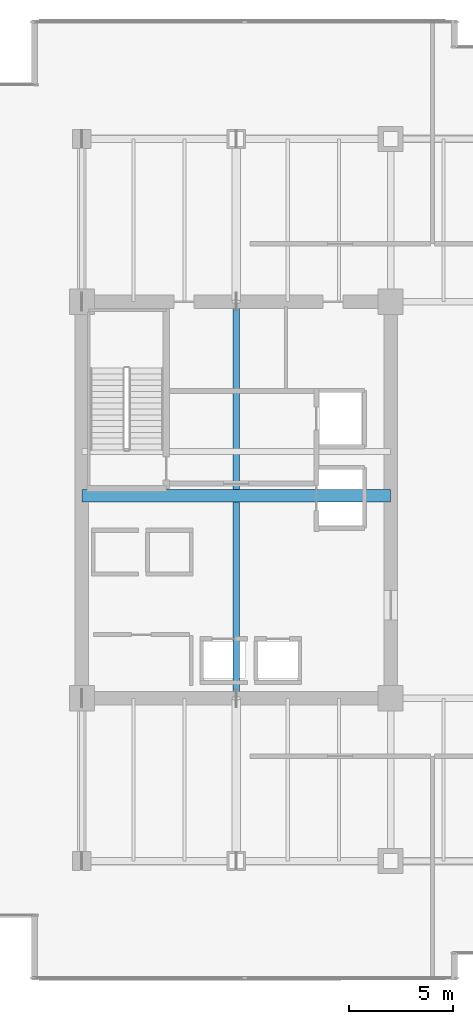
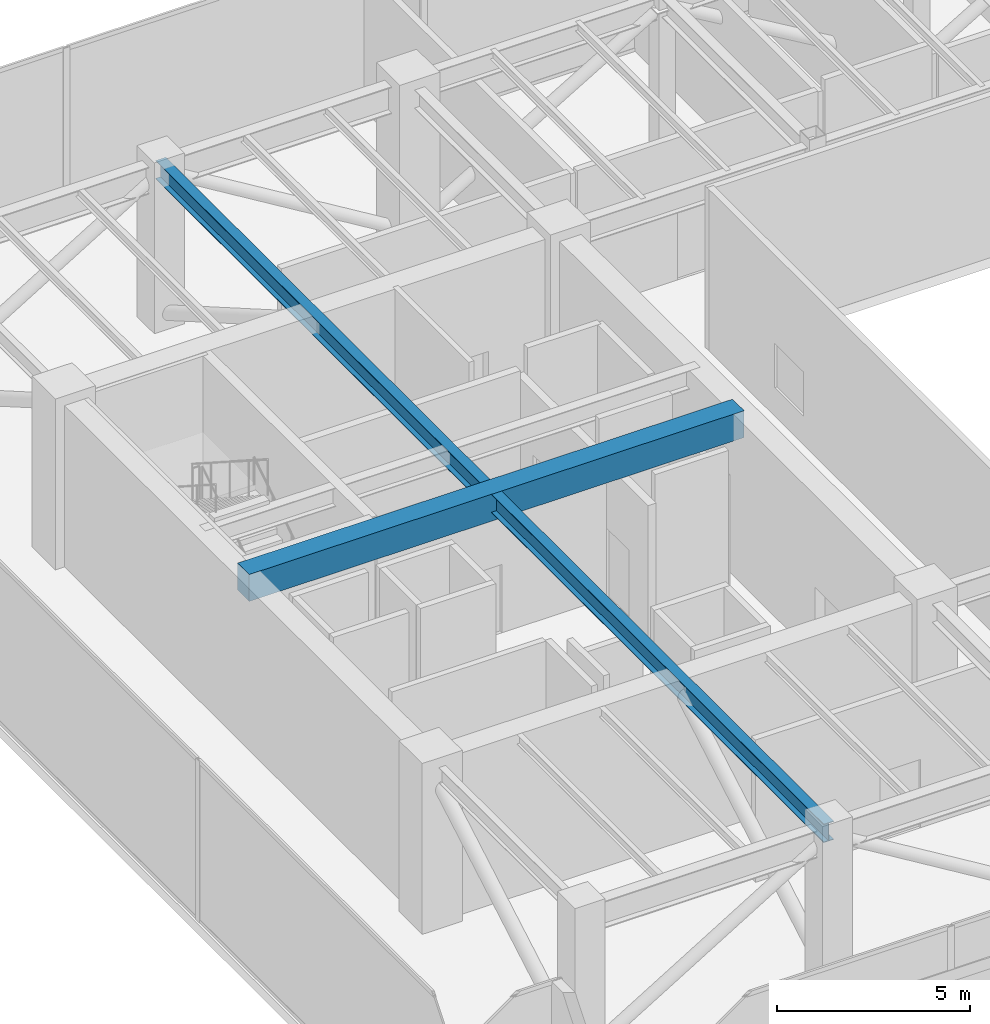
# One storey, part 7 of 34: 2 beams.
"""IFC4 building model written with IfcOpenShell, lengths in metres."""

from ifc_helpers import new_model, si_unit, direction, frame, origin, origin_2d, place, context, subcontext, project, spatial, rectangle, i_section, extrude, source, transform, mapped, material, material_profile, profile_set, type_object, type_shapes, element, save


model = new_model("IFC4")

# Units and contexts
model_context = context("Model", 3, precision=1e-05, world=origin(), true_north=direction((0.0, 1.0)))
body_context = subcontext(model_context, "Body", "Model", "MODEL_VIEW")
ifc_project = project(units=[si_unit("LENGTHUNIT", "METRE"), si_unit("AREAUNIT", "SQUARE_METRE"), si_unit("VOLUMEUNIT", "CUBIC_METRE"), si_unit("PLANEANGLEUNIT", "RADIAN"), si_unit("MASSUNIT", "GRAM", prefix="KILO")], contexts=[model_context])

# Site, building, storey
site_placement = place(None, origin())
site = spatial("IfcSite", under=ifc_project, at=site_placement, CompositionType="ELEMENT")
building_placement = place(site_placement, origin())
building = spatial("IfcBuilding", under=site, at=building_placement, Name="Haelvirn Gate Laboratories", CompositionType="ELEMENT")
storey_placement = place(building_placement, frame((0.0, 0.0, 191.199951171875)))
storey = spatial("IfcBuildingStorey", under=building, at=storey_placement, Name="L46", CompositionType="ELEMENT", Elevation=191.199951171875)

# Beams
ifc_material_1 = material(Name="Steel SM355", Category="steel")
ifc_material_profile_1 = material_profile(ifc_material_1, i_section(OverallWidth=0.300048828125, OverallDepth=0.587890625, WebThickness=0.011962890625, FlangeThickness=0.02001953125, at=origin_2d()), Name="H-588x300x12x20")
ifc_profile_set_1 = profile_set([ifc_material_profile_1], Name="Steel SM355")
beam_type_1 = type_object("IfcBeamType", Name="BM-G-588", PredefinedType="BEAM", material=ifc_profile_set_1)
shared_shape_1 = source(origin(), body_context, "Body", "SweptSolid", [
    extrude(i_section(OverallWidth=0.300048828125, OverallDepth=0.587890625, WebThickness=0.011962890625, FlangeThickness=0.02001953125, at=origin_2d()), origin(), (0.0, 0.0, 1.0), 34.60009765625),
])
type_shapes(beam_type_1, [shared_shape_1])
beam_1_placement = place(storey_placement, frame((14.800048828125, 7.0, 4.80615234375), z_axis=(0.0, 1.0, 0.0), x_axis=(-1.0, 0.0, 0.0)))
element("IfcBeam", 1, at=beam_1_placement, inside=storey, type_object=beam_type_1, Name="L46 Frame Girder X14.8 (7.0-41.6)", PredefinedType="BEAM", context=body_context, shape_type="MappedRepresentation", body=[
    mapped(shared_shape_1, transform((0.0, 0.0, 0.0), scale=1.0)),
])
ifc_material_2 = material(Name="Concrete C50/60", Category="concrete")
ifc_material_profile_2 = material_profile(ifc_material_2, rectangle(XDim=0.60009765625, YDim=0.85009765625, at=origin_2d()), Name="RCB-600x850")
ifc_profile_set_2 = profile_set([ifc_material_profile_2], Name="Concrete C50/60")
beam_type_2 = type_object("IfcBeamType", Name="BM-RCB-850", PredefinedType="LINTEL", material=ifc_profile_set_2)
shared_shape_2 = source(origin(), body_context, "Body", "SweptSolid", [
    extrude(rectangle(XDim=0.60009765625, YDim=0.85009765625, at=origin_2d()), origin(), (0.0, 0.0, 1.0), 14.800048828125),
])
type_shapes(beam_type_2, [shared_shape_2])
beam_2_placement = place(storey_placement, frame((7.39990234375, 24.5, 4.675048828125), z_axis=(1.0, 0.0, 0.0), x_axis=(0.0, 1.0, 0.0)))
element("IfcBeam", 2, at=beam_2_placement, inside=storey, type_object=beam_type_2, Name="L46 West Core Coupling Beam", PredefinedType="LINTEL", context=body_context, shape_type="MappedRepresentation", body=[
    mapped(shared_shape_2, transform((0.0, 0.0, 0.0), scale=1.0)),
])

save(model, "model.ifc")
